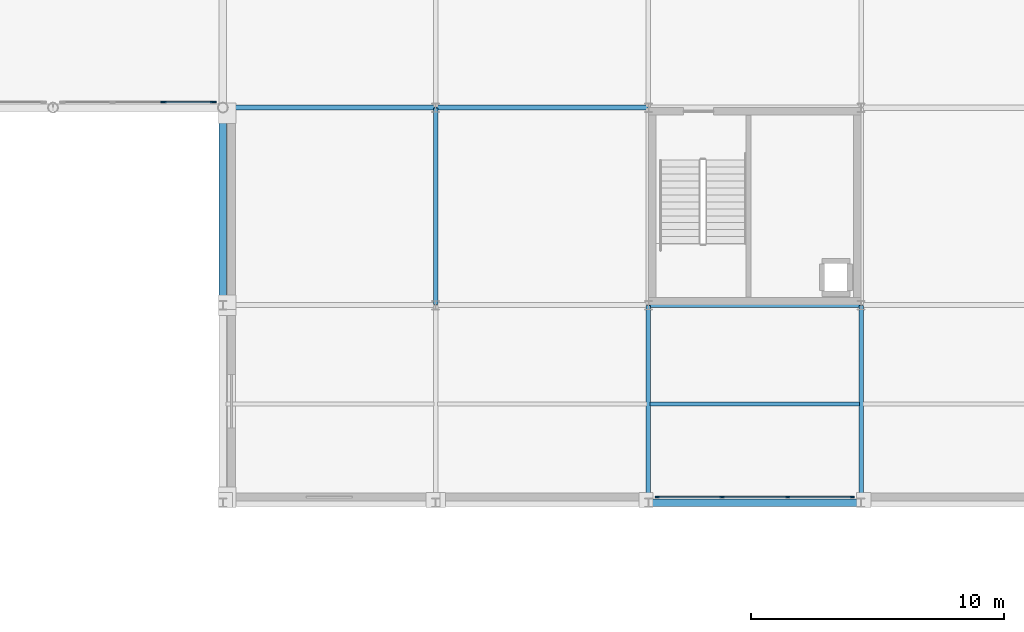
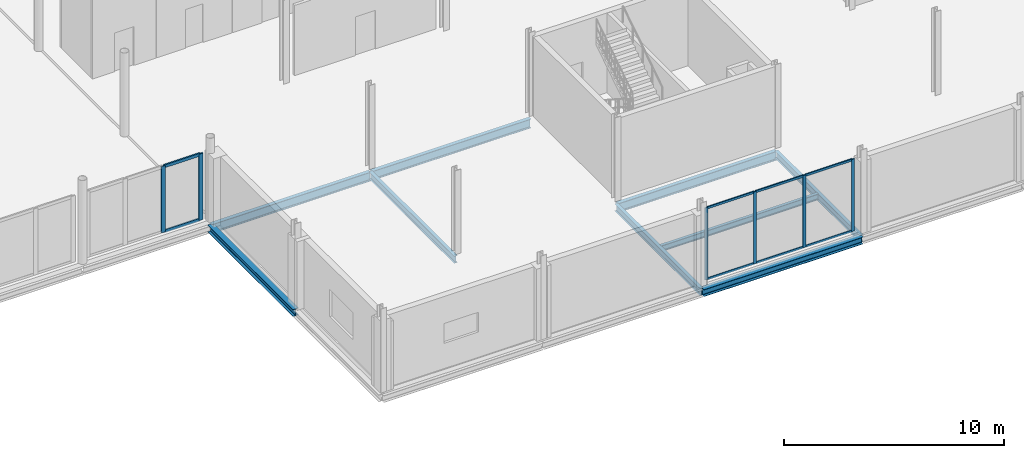
# One storey, part 46 of 98: 14 members, 9 beams, 2 elements without a shape of their own.
"""IFC4 building model written with IfcOpenShell, lengths in metres."""

from ifc_helpers import new_model, si_unit, direction, frame, origin, origin_2d, place, context, subcontext, project, spatial, rectangle, i_section, extrude, material, material_profile, profile_set, type_object, element, aggregate, save


model = new_model("IFC4")

# Units and contexts
model_context = context("Model", 3, precision=1e-05, world=origin(), true_north=direction((0.0, 1.0)))
body_context = subcontext(model_context, "Body", "Model", "MODEL_VIEW")
ifc_project = project(units=[si_unit("LENGTHUNIT", "METRE"), si_unit("AREAUNIT", "SQUARE_METRE"), si_unit("VOLUMEUNIT", "CUBIC_METRE"), si_unit("PLANEANGLEUNIT", "RADIAN"), si_unit("MASSUNIT", "GRAM", prefix="KILO")], contexts=[model_context])

# Site, building, storey
site_placement = place(None, origin())
site = spatial("IfcSite", under=ifc_project, at=site_placement, CompositionType="ELEMENT")
building_placement = place(site_placement, origin())
building = spatial("IfcBuilding", under=site, at=building_placement, Name="Nabrawat Pavilion Hospital", CompositionType="ELEMENT")
storey_placement = place(building_placement, frame((0.0, 0.0, 10.199951171875)))
storey = spatial("IfcBuildingStorey", under=building, at=storey_placement, Name="L02", CompositionType="ELEMENT", Elevation=10.199951171875)

# Curtain wall, members
ifc_material_1 = material(Name="Anodised Aluminium", Category="aluminium")
curtain_wall_type_1 = type_object("IfcCurtainWallType", Name="Main Hall Pavilion Unitised Curtain Wall", PredefinedType="USERDEFINED", material=ifc_material_1)
curtain_wall_1_placement = place(storey_placement, origin())
curtain_wall_1 = element("IfcCurtainWall", 1, at=curtain_wall_1_placement, inside=storey, type_object=curtain_wall_type_1, Name="L02 Main Hall Pavilion Unitised Curtain Wall 107", ObjectType="CURTAIN WALL", PredefinedType="USERDEFINED")
ifc_material_profile_1 = material_profile(ifc_material_1, rectangle(XDim=0.074951171875, YDim=0.219970703125, at=origin_2d()), Name="CWM 75x220")
ifc_profile_set_1 = profile_set([ifc_material_profile_1], Name="Anodised Aluminium")
member_type_1 = type_object("IfcMemberType", Name="Main Hall Pavilion Unitised Curtain Wall Mullion CWM 75x220", PredefinedType="MULLION", material=ifc_profile_set_1)
member_1_placement = place(storey_placement, frame((123.649658203125, 15.820068359375, 0.0), z_axis=(0.0, 0.0, 1.0), x_axis=(0.0, 1.0, 0.0)))
member_1 = element("IfcMember", 2, at=member_1_placement, type_object=member_type_1, Name="CW-MH-01 mullion 3", PredefinedType="MULLION", context=body_context, shape_type="SweptSolid", body=[
    extrude(rectangle(XDim=0.074951171875, YDim=0.219970703125, at=origin_2d()), origin(), (0.0, 0.0, 1.0), 3.679931640625),
])
member_2_placement = place(storey_placement, frame((125.619384765625, 15.820068359375, 0.0), z_axis=(0.0, 0.0, 1.0), x_axis=(0.0, 1.0, 0.0)))
member_2 = element("IfcMember", 3, at=member_2_placement, type_object=member_type_1, Name="CW-MH-01 mullion 4", PredefinedType="MULLION", context=body_context, shape_type="SweptSolid", body=[
    extrude(rectangle(XDim=0.074951171875, YDim=0.219970703125, at=origin_2d()), origin(), (0.0, 0.0, 1.0), 3.679931640625),
])
ifc_material_profile_2 = material_profile(ifc_material_1, rectangle(XDim=0.074951171875, YDim=0.1650390625, at=origin_2d()), Name="CWT 75x165")
ifc_profile_set_2 = profile_set([ifc_material_profile_2], Name="Anodised Aluminium")
member_type_2 = type_object("IfcMemberType", Name="Main Hall Pavilion Unitised Curtain Wall Transom CWT 75x165", PredefinedType="USERDEFINED", material=ifc_profile_set_2)
member_3_placement = place(storey_placement, frame((123.68701171875, 15.820068359375, 0.03759765625), z_axis=(1.0, 0.0, 0.0), x_axis=(0.0, 1.0, 0.0)))
member_3 = element("IfcMember", 4, at=member_3_placement, type_object=member_type_2, Name="CW-MH-01 transom 3.1", ObjectType="TRANSOM", PredefinedType="USERDEFINED", context=body_context, shape_type="SweptSolid", body=[
    extrude(rectangle(XDim=0.074951171875, YDim=0.1650390625, at=origin_2d()), origin(), (0.0, 0.0, 1.0), 1.894775390625),
])
member_4_placement = place(storey_placement, frame((123.68701171875, 15.820068359375, 3.642578125), z_axis=(1.0, 0.0, 0.0), x_axis=(0.0, 1.0, 0.0)))
member_4 = element("IfcMember", 5, at=member_4_placement, type_object=member_type_2, Name="CW-MH-01 transom 3.2", ObjectType="TRANSOM", PredefinedType="USERDEFINED", context=body_context, shape_type="SweptSolid", body=[
    extrude(rectangle(XDim=0.074951171875, YDim=0.1650390625, at=origin_2d()), origin(), (0.0, 0.0, 1.0), 1.894775390625),
])
aggregate(curtain_wall_1, [member_1, member_2, member_3, member_4])

curtain_wall_type_2 = type_object("IfcCurtainWallType", Name="Outpatient Boulevard Curtain Wall", PredefinedType="USERDEFINED", material=ifc_material_1)
curtain_wall_2_placement = place(storey_placement, origin())
curtain_wall_2 = element("IfcCurtainWall", 6, at=curtain_wall_2_placement, inside=storey, type_object=curtain_wall_type_2, Name="L02 Outpatient Boulevard Curtain Wall 130", ObjectType="CURTAIN WALL", PredefinedType="USERDEFINED")
ifc_material_profile_3 = material_profile(ifc_material_1, rectangle(XDim=0.06005859375, YDim=0.159912109375, at=origin_2d()), Name="CWM 60x160")
ifc_profile_set_3 = profile_set([ifc_material_profile_3], Name="Anodised Aluminium")
member_type_3 = type_object("IfcMemberType", Name="Outpatient Boulevard Curtain Wall Mullion CWM 60x160", PredefinedType="MULLION", material=ifc_profile_set_3)
member_5_placement = place(storey_placement, frame((143.14990234375, 0.219970703125, 0.0), z_axis=(0.0, 0.0, 1.0), x_axis=(0.0, 1.0, 0.0)))
member_5 = element("IfcMember", 7, at=member_5_placement, type_object=member_type_3, Name="CW-OPC-01 mullion 1", PredefinedType="MULLION", context=body_context, shape_type="SweptSolid", body=[
    extrude(rectangle(XDim=0.06005859375, YDim=0.159912109375, at=origin_2d()), origin(), (0.0, 0.0, 1.0), 4.0),
])
member_6_placement = place(storey_placement, frame((145.706787109375, 0.219970703125, 0.0), z_axis=(0.0, 0.0, 1.0), x_axis=(0.0, 1.0, 0.0)))
member_6 = element("IfcMember", 8, at=member_6_placement, type_object=member_type_3, Name="CW-OPC-01 mullion 2", PredefinedType="MULLION", context=body_context, shape_type="SweptSolid", body=[
    extrude(rectangle(XDim=0.06005859375, YDim=0.159912109375, at=origin_2d()), origin(), (0.0, 0.0, 1.0), 4.0),
])
member_7_placement = place(storey_placement, frame((148.293212890625, 0.219970703125, 0.0), z_axis=(0.0, 0.0, 1.0), x_axis=(0.0, 1.0, 0.0)))
member_7 = element("IfcMember", 9, at=member_7_placement, type_object=member_type_3, Name="CW-OPC-01 mullion 3", PredefinedType="MULLION", context=body_context, shape_type="SweptSolid", body=[
    extrude(rectangle(XDim=0.06005859375, YDim=0.159912109375, at=origin_2d()), origin(), (0.0, 0.0, 1.0), 4.0),
])
member_8_placement = place(storey_placement, frame((150.85009765625, 0.219970703125, 0.0), z_axis=(0.0, 0.0, 1.0), x_axis=(0.0, 1.0, 0.0)))
member_8 = element("IfcMember", 10, at=member_8_placement, type_object=member_type_3, Name="CW-OPC-01 mullion 4", PredefinedType="MULLION", context=body_context, shape_type="SweptSolid", body=[
    extrude(rectangle(XDim=0.06005859375, YDim=0.159912109375, at=origin_2d()), origin(), (0.0, 0.0, 1.0), 4.0),
])
ifc_material_profile_4 = material_profile(ifc_material_1, rectangle(XDim=0.06005859375, YDim=0.1201171875, at=origin_2d()), Name="CWT 60x120")
ifc_profile_set_4 = profile_set([ifc_material_profile_4], Name="Anodised Aluminium")
member_type_4 = type_object("IfcMemberType", Name="Outpatient Boulevard Curtain Wall Transom CWT 60x120", PredefinedType="USERDEFINED", material=ifc_profile_set_4)
member_9_placement = place(storey_placement, frame((143.179931640625, 0.219970703125, 0.030029296875), z_axis=(1.0, 0.0, 0.0), x_axis=(0.0, 1.0, 0.0)))
member_9 = element("IfcMember", 11, at=member_9_placement, type_object=member_type_4, Name="CW-OPC-01 transom 1.1", ObjectType="TRANSOM", PredefinedType="USERDEFINED", context=body_context, shape_type="SweptSolid", body=[
    extrude(rectangle(XDim=0.06005859375, YDim=0.1201171875, at=origin_2d()), origin(), (0.0, 0.0, 1.0), 2.496826171875),
])
member_10_placement = place(storey_placement, frame((143.179931640625, 0.219970703125, 3.969970703125), z_axis=(1.0, 0.0, 0.0), x_axis=(0.0, 1.0, 0.0)))
member_10 = element("IfcMember", 12, at=member_10_placement, type_object=member_type_4, Name="CW-OPC-01 transom 1.2", ObjectType="TRANSOM", PredefinedType="USERDEFINED", context=body_context, shape_type="SweptSolid", body=[
    extrude(rectangle(XDim=0.06005859375, YDim=0.1201171875, at=origin_2d()), origin(), (0.0, 0.0, 1.0), 2.496826171875),
])
member_11_placement = place(storey_placement, frame((145.736572265625, 0.219970703125, 0.030029296875), z_axis=(1.0, 0.0, 0.0), x_axis=(0.0, 1.0, 0.0)))
member_11 = element("IfcMember", 13, at=member_11_placement, type_object=member_type_4, Name="CW-OPC-01 transom 2.1", ObjectType="TRANSOM", PredefinedType="USERDEFINED", context=body_context, shape_type="SweptSolid", body=[
    extrude(rectangle(XDim=0.06005859375, YDim=0.1201171875, at=origin_2d()), origin(), (0.0, 0.0, 1.0), 2.52685546875),
])
member_12_placement = place(storey_placement, frame((145.736572265625, 0.219970703125, 3.969970703125), z_axis=(1.0, 0.0, 0.0), x_axis=(0.0, 1.0, 0.0)))
member_12 = element("IfcMember", 14, at=member_12_placement, type_object=member_type_4, Name="CW-OPC-01 transom 2.2", ObjectType="TRANSOM", PredefinedType="USERDEFINED", context=body_context, shape_type="SweptSolid", body=[
    extrude(rectangle(XDim=0.06005859375, YDim=0.1201171875, at=origin_2d()), origin(), (0.0, 0.0, 1.0), 2.52685546875),
])
member_13_placement = place(storey_placement, frame((148.3232421875, 0.219970703125, 0.030029296875), z_axis=(1.0, 0.0, 0.0), x_axis=(0.0, 1.0, 0.0)))
member_13 = element("IfcMember", 15, at=member_13_placement, type_object=member_type_4, Name="CW-OPC-01 transom 3.1", ObjectType="TRANSOM", PredefinedType="USERDEFINED", context=body_context, shape_type="SweptSolid", body=[
    extrude(rectangle(XDim=0.06005859375, YDim=0.1201171875, at=origin_2d()), origin(), (0.0, 0.0, 1.0), 2.496826171875),
])
member_14_placement = place(storey_placement, frame((148.3232421875, 0.219970703125, 3.969970703125), z_axis=(1.0, 0.0, 0.0), x_axis=(0.0, 1.0, 0.0)))
member_14 = element("IfcMember", 16, at=member_14_placement, type_object=member_type_4, Name="CW-OPC-01 transom 3.2", ObjectType="TRANSOM", PredefinedType="USERDEFINED", context=body_context, shape_type="SweptSolid", body=[
    extrude(rectangle(XDim=0.06005859375, YDim=0.1201171875, at=origin_2d()), origin(), (0.0, 0.0, 1.0), 2.496826171875),
])
aggregate(curtain_wall_2, [member_5, member_6, member_7, member_8, member_9, member_10, member_11, member_12, member_13, member_14])

# Beams
ifc_material_2 = material(Name="Steel S355", Category="steel")
ifc_material_profile_5 = material_profile(ifc_material_2, i_section(OverallWidth=0.300048828125, OverallDepth=0.389892578125, WebThickness=0.010986328125, FlangeThickness=0.01904296875, FilletRadius=0.027099609375, at=origin_2d()), Name="HEA 400")
ifc_profile_set_5 = profile_set([ifc_material_profile_5], Name="Steel S355")
beam_type_1 = type_object("IfcBeamType", Name="Perimeter Moment Spandrel Beam HEA 400", PredefinedType="SPANDREL", material=ifc_profile_set_5)
beam_1_placement = place(storey_placement, frame((142.820068359375, 0.0, -0.425048828125), z_axis=(1.0, 0.0, 0.0), x_axis=(0.0, 1.0, 0.0)))
element("IfcBeam", 17, at=beam_1_placement, inside=storey, type_object=beam_type_1, Name="L02 Primary X Girder 936", PredefinedType="SPANDREL", context=body_context, shape_type="SweptSolid", body=[
    extrude(i_section(OverallWidth=0.300048828125, OverallDepth=0.389892578125, WebThickness=0.010986328125, FlangeThickness=0.01904296875, FilletRadius=0.027099609375, at=origin_2d()), origin(), (0.0, 0.0, 1.0), 8.35986328125),
])
beam_2_placement = place(storey_placement, frame((126.0, 7.820068359375, -0.425048828125), z_axis=(0.0, 1.0, 0.0), x_axis=(-1.0, 0.0, 0.0)))
element("IfcBeam", 18, at=beam_2_placement, inside=storey, type_object=beam_type_1, Name="L02 Primary Y Beam 1277", PredefinedType="SPANDREL", context=body_context, shape_type="SweptSolid", body=[
    extrude(i_section(OverallWidth=0.300048828125, OverallDepth=0.389892578125, WebThickness=0.010986328125, FlangeThickness=0.01904296875, FilletRadius=0.027099609375, at=origin_2d()), origin(), (0.0, 0.0, 1.0), 7.760009765625),
])
ifc_material_profile_6 = material_profile(ifc_material_2, i_section(OverallWidth=0.159912109375, OverallDepth=0.330078125, WebThickness=0.007568359375, FlangeThickness=0.011474609375, FilletRadius=0.01806640625, at=origin_2d()), Name="IPE 330")
ifc_profile_set_6 = profile_set([ifc_material_profile_6], Name="Steel S355")
beam_type_2 = type_object("IfcBeamType", Name="Standard Clinical Secondary Joist IPE 330", PredefinedType="JOIST", material=ifc_profile_set_6)
beam_3_placement = place(storey_placement, frame((142.864990234375, 3.89990234375, -0.39501953125), z_axis=(1.0, 0.0, 0.0), x_axis=(0.0, 1.0, 0.0)))
element("IfcBeam", 19, at=beam_3_placement, inside=storey, type_object=beam_type_2, Name="L02 Secondary Composite Floor Joist 1409", PredefinedType="JOIST", context=body_context, shape_type="SweptSolid", body=[
    extrude(i_section(OverallWidth=0.159912109375, OverallDepth=0.330078125, WebThickness=0.007568359375, FlangeThickness=0.011474609375, FilletRadius=0.01806640625, at=origin_2d()), origin(), (0.0, 0.0, 1.0), 8.27001953125),
])
ifc_material_profile_7 = material_profile(ifc_material_2, i_section(OverallWidth=0.199951171875, OverallDepth=0.5, WebThickness=0.01025390625, FlangeThickness=0.01611328125, FilletRadius=0.02099609375, at=origin_2d()), Name="IPE 500")
ifc_profile_set_7 = profile_set([ifc_material_profile_7], Name="Steel S355")
beam_type_3 = type_object("IfcBeamType", Name="Standard X Floor Girder IPE 500", PredefinedType="USERDEFINED", material=ifc_profile_set_7)
for number, where, z_axis, x_axis, name in (
    (20, (142.820068359375, 7.800048828125, -0.47998046875), (1.0, 0.0, 0.0), (0.0, 1.0, 0.0), "L02 Primary X Girder 946"),
    (21, (126.02001953125, 15.60009765625, -0.47998046875), (1.0, 0.0, 0.0), (0.0, 1.0, 0.0), "L02 Primary X Girder 963"),
):
    element("IfcBeam", number, at=place(storey_placement, frame(where, z_axis=z_axis, x_axis=x_axis)), inside=storey, type_object=beam_type_3, Name=name, ObjectType="GIRDER", PredefinedType="USERDEFINED", context=body_context, shape_type="SweptSolid", body=[
        extrude(i_section(OverallWidth=0.199951171875, OverallDepth=0.5, WebThickness=0.01025390625, FlangeThickness=0.01611328125, FilletRadius=0.02099609375, at=origin_2d()), origin(), (0.0, 0.0, 1.0), 8.35986328125),
    ])
beam_4_placement = place(storey_placement, frame((134.419921875, 15.60009765625, -0.47998046875), z_axis=(1.0, 0.0, 0.0), x_axis=(0.0, 1.0, 0.0)))
element("IfcBeam", 22, at=beam_4_placement, inside=storey, type_object=beam_type_3, Name="L02 Primary X Girder 964", ObjectType="GIRDER", PredefinedType="USERDEFINED", context=body_context, shape_type="SweptSolid", body=[
    extrude(i_section(OverallWidth=0.199951171875, OverallDepth=0.5, WebThickness=0.01025390625, FlangeThickness=0.01611328125, FilletRadius=0.02099609375, at=origin_2d()), origin(), (0.0, 0.0, 1.0), 8.360107421875),
])
ifc_material_profile_8 = material_profile(ifc_material_2, i_section(OverallWidth=0.179931640625, OverallDepth=0.39990234375, WebThickness=0.008544921875, FlangeThickness=0.013427734375, FilletRadius=0.02099609375, at=origin_2d()), Name="IPE 400")
ifc_profile_set_8 = profile_set([ifc_material_profile_8], Name="Steel S355")
beam_type_4 = type_object("IfcBeamType", Name="Standard Y Floor Beam IPE 400", PredefinedType="BEAM", material=ifc_profile_set_8)
for number, where, z_axis, x_axis, name in (
    (23, (134.39990234375, 7.820068359375, -0.429931640625), (0.0, 1.0, 0.0), (-1.0, 0.0, 0.0), "L02 Primary Y Beam 1293"),
    (24, (142.800048828125, 0.02001953125, -0.429931640625), (0.0, 1.0, 0.0), (-1.0, 0.0, 0.0), "L02 Primary Y Beam 1308"),
    (25, (151.199951171875, 0.02001953125, -0.429931640625), (0.0, 1.0, 0.0), (-1.0, 0.0, 0.0), "L02 Primary Y Beam 1324"),
):
    element("IfcBeam", number, at=place(storey_placement, frame(where, z_axis=z_axis, x_axis=x_axis)), inside=storey, type_object=beam_type_4, Name=name, PredefinedType="BEAM", context=body_context, shape_type="SweptSolid", body=[
        extrude(i_section(OverallWidth=0.179931640625, OverallDepth=0.39990234375, WebThickness=0.008544921875, FlangeThickness=0.013427734375, FilletRadius=0.02099609375, at=origin_2d()), origin(), (0.0, 0.0, 1.0), 7.760009765625),
    ])

save(model, "model.ifc")
